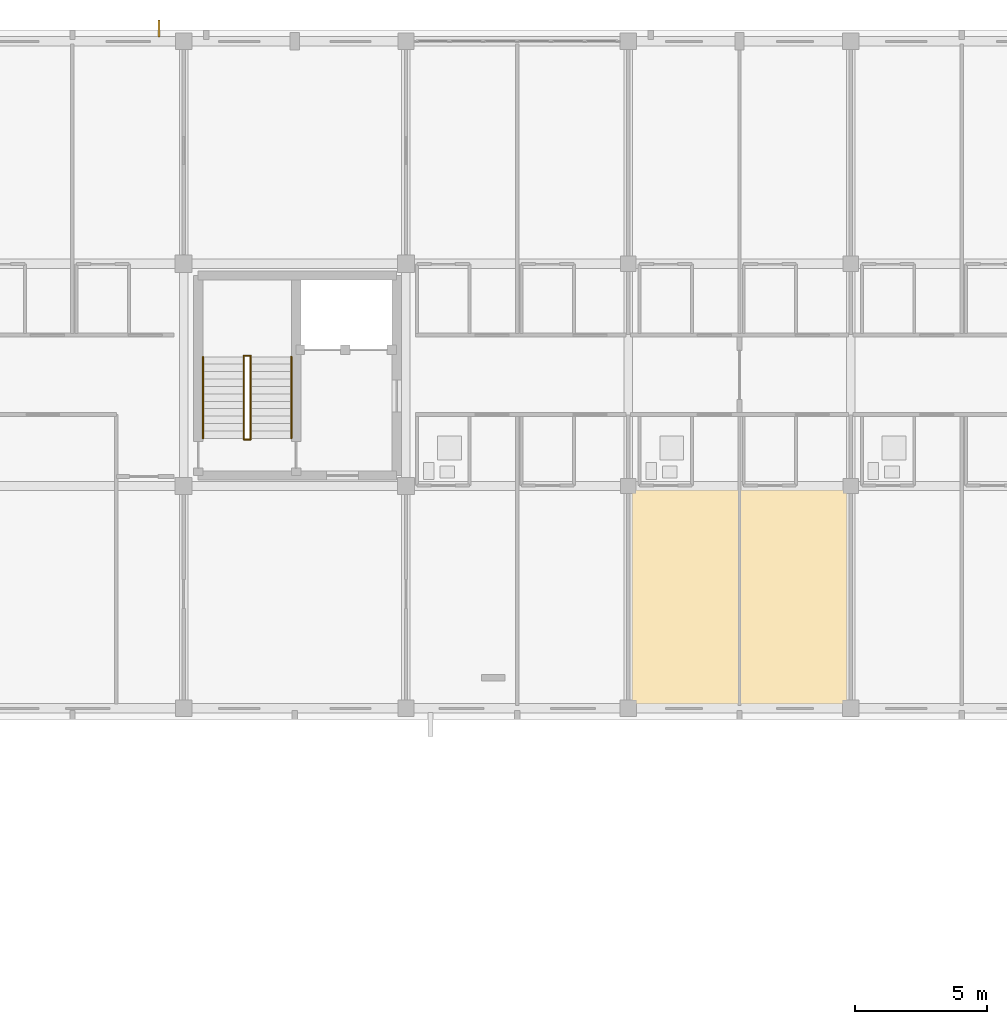
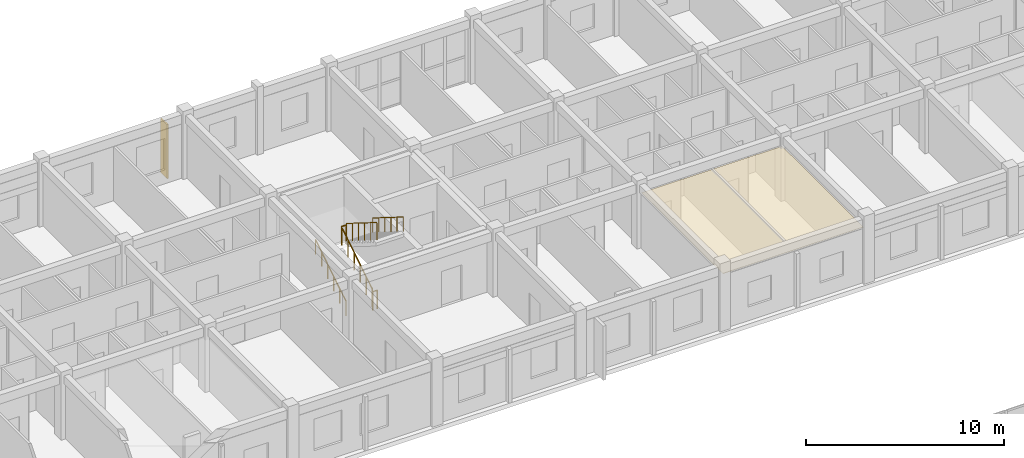
# One storey, part 79 of 81: 6 railings, 1 covering, 1 shading device.
"""IFC4 building model written with IfcOpenShell, lengths in metres."""

import ifcopenshell
import ifcopenshell.guid

model = None  # the IFC model being written
_history = None  # IfcOwnerHistory: only IFC2X3 demands one
_inside = {}  # id of a spatial element -> (the spatial element, [elements in it])
_under = {}  # id of a project, library or spatial element -> (it, [spatial elements below it])
_declared = {}  # id of a project -> (the project, [libraries it declares])
_typed = {}  # id of a type object -> (the type object, [elements of that type])
_made_of = {}  # id of a material, layer set ... -> (it, [elements and type objects made of it])


def new_model(schema):
    """Start an empty IFC model of exactly this schema.

    Asked for "IFC4X3", IfcOpenShell would pick the latest addendum, in which some entities
    have other attributes; the version numbers below select the first issue.
    IFC2X3 requires an IfcOwnerHistory on every rooted entity: one is made here for all.
    """
    global model, _history
    if schema == "IFC4X3":
        model = ifcopenshell.file(schema_version=(4, 3, 0, 0))
    else:
        model = ifcopenshell.file(schema=schema)
    _inside.clear()
    _under.clear()
    _declared.clear()
    _typed.clear()
    _made_of.clear()
    _history = None
    if model.schema == "IFC2X3":
        org = make("IfcOrganization", Name="unknown")
        user = make(
            "IfcPersonAndOrganization",
            ThePerson=make("IfcPerson", FamilyName="unknown"),
            TheOrganization=org,
        )
        app = make(
            "IfcApplication",
            ApplicationDeveloper=org,
            Version="unknown",
            ApplicationFullName="unknown",
            ApplicationIdentifier="unknown",
        )
        _history = make(
            "IfcOwnerHistory",
            OwningUser=user,
            OwningApplication=app,
            ChangeAction="ADDED",
            CreationDate=0,
        )
    return model


def make(cls, **values):
    """One entity of the class cls with the attributes given. An attribute that is None is left unset."""
    return model.create_entity(
        cls, **{name: value for name, value in values.items() if value is not None}
    )


def rooted(cls, **values):
    """An entity with a GlobalId (a new one), such as an element, a storey or a relation."""
    return make(cls, GlobalId=ifcopenshell.guid.new(), OwnerHistory=_history, **values)


def si_unit(unit_type, name, prefix=None):
    """IfcSIUnit, for example si_unit("LENGTHUNIT", "METRE", prefix="MILLI")."""
    return make("IfcSIUnit", UnitType=unit_type, Prefix=prefix, Name=name)


def assignment(units):
    """IfcUnitAssignment: the units of a project."""
    return None if units is None else make("IfcUnitAssignment", Units=units)


def point(xyz):
    """IfcCartesianPoint."""
    return None if xyz is None else make("IfcCartesianPoint", Coordinates=xyz)


def direction(xyz):
    """IfcDirection."""
    return None if xyz is None else make("IfcDirection", DirectionRatios=xyz)


def frame(location, z_axis=None, x_axis=None):
    """IfcAxis2Placement3D, a coordinate frame: its origin and axes. An axis left out is left unset."""
    return make(
        "IfcAxis2Placement3D",
        Location=point(location),
        Axis=direction(z_axis),
        RefDirection=direction(x_axis),
    )


def frame_2d(location, x_axis=None):
    """IfcAxis2Placement2D, a coordinate frame in the plane: its origin and x axis."""
    return make(
        "IfcAxis2Placement2D", Location=point(location), RefDirection=direction(x_axis)
    )


def origin():
    """The frame at (0, 0, 0) with its axes left unset."""
    return frame((0.0, 0.0, 0.0))


def origin_2d():
    """The frame at (0, 0) in the plane with its x axis left unset."""
    return frame_2d((0.0, 0.0))


def place(relative_to, where):
    """IfcLocalPlacement: puts the frame where relative to a parent placement (None: the world)."""
    return make(
        "IfcLocalPlacement", PlacementRelTo=relative_to, RelativePlacement=where
    )


def context(
    kind, dimensions, precision=None, world=None, true_north=None, identifier=None
):
    """IfcGeometricRepresentationContext, for example the 3D "Model" context."""
    return make(
        "IfcGeometricRepresentationContext",
        ContextIdentifier=identifier,
        ContextType=kind,
        CoordinateSpaceDimension=dimensions,
        Precision=precision,
        WorldCoordinateSystem=world,
        TrueNorth=true_north,
    )


def subcontext(parent, identifier, kind, view, scale=None):
    """IfcGeometricRepresentationSubContext, for example "Body" below "Model"."""
    return make(
        "IfcGeometricRepresentationSubContext",
        ContextIdentifier=identifier,
        ContextType=kind,
        ParentContext=parent,
        TargetScale=scale,
        TargetView=view,
    )


def project(units=None, contexts=None):
    """IfcProject with its units and contexts."""
    return rooted(
        "IfcProject",
        Name="project",
        RepresentationContexts=contexts,
        UnitsInContext=assignment(units),
    )


def spatial(cls, under=None, at=None, **own):
    """A site, building, storey or space (cls), placed at a placement, below another one or the project."""
    s = rooted(cls, ObjectPlacement=at, **own)
    if under is not None:
        _under.setdefault(under.id(), (under, []))[1].append(s)
    return s


def polyline(points):
    """IfcPolyline through the points."""
    return make("IfcPolyline", Points=[point(p) for p in points])


def profile(cls, at=None, kind="AREA", **sizes):
    """A parametric profile (cls). Its sizes go by their IFC names, for example OverallWidth=200.0."""
    return make(cls, ProfileType=kind, Position=at, **sizes)


def rectangle(**sizes):
    """IfcRectangleProfileDef."""
    return profile("IfcRectangleProfileDef", **sizes)


def circle(**sizes):
    """IfcCircleProfileDef."""
    return profile("IfcCircleProfileDef", **sizes)


def outline(outer, holes=None, kind="AREA"):
    """IfcArbitraryClosedProfileDef: a profile drawn as a closed curve; with holes, ...WithVoids."""
    if holes is None:
        return make("IfcArbitraryClosedProfileDef", ProfileType=kind, OuterCurve=outer)
    return make(
        "IfcArbitraryProfileDefWithVoids",
        ProfileType=kind,
        OuterCurve=outer,
        InnerCurves=holes,
    )


def extrude(swept, where, along, depth):
    """IfcExtrudedAreaSolid: the profile swept, set in the frame where, extruded along a direction by depth."""
    return make(
        "IfcExtrudedAreaSolid",
        SweptArea=swept,
        Position=where,
        ExtrudedDirection=direction(along),
        Depth=depth,
    )


def shape(context_of_items, identifier, shape_type, items):
    """IfcShapeRepresentation: the items that make up one representation, for example the "Body"."""
    return make(
        "IfcShapeRepresentation",
        ContextOfItems=context_of_items,
        RepresentationIdentifier=identifier,
        RepresentationType=shape_type,
        Items=items,
    )


def material(Name=None, Category=None):
    """IfcMaterial."""
    return make("IfcMaterial", Name=Name, Category=Category)


def layer(
    of_material, thickness, ventilated=None, Name=None, Category=None, Priority=None
):
    """IfcMaterialLayer: one layer of a wall or slab, of a material (None: an air gap)."""
    return make(
        "IfcMaterialLayer",
        Material=of_material,
        LayerThickness=thickness,
        IsVentilated=ventilated,
        Name=Name,
        Category=Category,
        Priority=Priority,
    )


def layer_set(layers, Name=None):
    """IfcMaterialLayerSet."""
    return make("IfcMaterialLayerSet", MaterialLayers=layers, LayerSetName=Name)


def made_of(thing, what):
    """Note that an element or type object is made of a material, layer set ...; save() writes the relation."""
    if what is not None:
        _made_of.setdefault(what.id(), (what, []))[1].append(thing)
    return thing


def type_object(cls, material=None, **own):
    """A type object (cls), such as IfcWallType, which elements share."""
    return made_of(rooted(cls, **own), material)


def element(
    cls,
    number,
    at=None,
    inside=None,
    cuts=None,
    type_object=None,
    material=None,
    context=None,
    identifier="Body",
    shape_type=None,
    held_by="IfcProductDefinitionShape",
    body=None,
    shapes=None,
    **own,
):
    """One element of the class cls, such as IfcWall. Its Tag is "e" and its number.

    at: its placement. inside: the storey or other place that contains it. cuts: it is an
    opening in that element (IfcRelVoidsElement). A single representation is given by context,
    identifier, shape_type and body (its items); several are given by shapes. held_by: the class
    of the entity that holds the representations. save() writes the other relations.
    """
    e = rooted(cls, Tag="e%d" % number, ObjectPlacement=at, **own)
    if body is not None:
        shapes = [shape(context, identifier, shape_type, body)]
    if shapes is not None:
        e.Representation = make(held_by, Representations=shapes)
    if inside is not None:
        _inside.setdefault(inside.id(), (inside, []))[1].append(e)
    if cuts is not None:
        rooted(
            "IfcRelVoidsElement", RelatingBuildingElement=cuts, RelatedOpeningElement=e
        )
    if type_object is not None:
        _typed.setdefault(type_object.id(), (type_object, []))[1].append(e)
    return made_of(e, material)


def aggregate(whole, parts):
    """IfcRelAggregates: a whole, such as a stair, and the parts it consists of."""
    return rooted("IfcRelAggregates", RelatingObject=whole, RelatedObjects=parts)


def save(model, path):
    """Write the relations noted so far, then the file.

    IfcRelAggregates (storeys below a building ...), IfcRelContainedInSpatialStructure (elements
    in a storey), IfcRelDefinesByType, IfcRelAssociatesMaterial and IfcRelDeclares: one each for
    every whole, place, type object, material and project.
    """
    for whole, parts in _under.values():
        aggregate(whole, parts)
    for where, things in _inside.values():
        rooted(
            "IfcRelContainedInSpatialStructure",
            RelatedElements=things,
            RelatingStructure=where,
        )
    for kind, things in _typed.values():
        rooted("IfcRelDefinesByType", RelatedObjects=things, RelatingType=kind)
    for what, things in _made_of.values():
        rooted("IfcRelAssociatesMaterial", RelatedObjects=things, RelatingMaterial=what)
    for by, libraries in _declared.values():
        rooted("IfcRelDeclares", RelatingContext=by, RelatedDefinitions=libraries)
    model.write(path)


model = new_model("IFC4")

# Units and contexts
model_context = context("Model", 3, precision=1e-05, world=origin(), true_north=direction((0.0, 1.0)))
body_context = subcontext(model_context, "Body", "Model", "MODEL_VIEW")
ifc_project = project(units=[si_unit("LENGTHUNIT", "METRE"), si_unit("AREAUNIT", "SQUARE_METRE"), si_unit("VOLUMEUNIT", "CUBIC_METRE"), si_unit("PLANEANGLEUNIT", "RADIAN"), si_unit("MASSUNIT", "GRAM", prefix="KILO")], contexts=[model_context])

# Site, building, storey
site_placement = place(None, origin())
site = spatial("IfcSite", under=ifc_project, at=site_placement, CompositionType="ELEMENT")
building_placement = place(site_placement, origin())
building = spatial("IfcBuilding", under=site, at=building_placement, Name="Trelvath General Hospital", CompositionType="ELEMENT")
storey_placement = place(building_placement, frame((0.0, 0.0, 24.60009765625)))
storey = spatial("IfcBuildingStorey", under=building, at=storey_placement, Name="L06", CompositionType="ELEMENT", Elevation=24.60009765625)

# Covering
ifc_material_1 = material(Name="Hygienic acoustic ceiling tile")
ifc_layer = layer(ifc_material_1, 0.02490234375)
ifc_layer_set = layer_set([ifc_layer], Name="Hygienic acoustic ceiling tile")
covering_type = type_object("IfcCoveringType", Name="Ceiling ClinicalAcoustic", PredefinedType="CEILING", material=ifc_layer_set)
covering_placement = place(storey_placement, frame((0.0, 0.0, 3.199951171875)))
element("IfcCovering", 1, at=covering_placement, inside=storey, type_object=covering_type, Name="Clinical Acoustic Ceiling L06-79", PredefinedType="CEILING", context=body_context, shape_type="SweptSolid", body=[
    extrude(outline(polyline([(100.89990234375, 92.5), (109.10009765625, 92.5), (109.10009765625, 100.719970703125), (100.89990234375, 100.719970703125), (100.89990234375, 92.5)])), origin(), (0.0, 0.0, 1.0), 0.02490234375),
])

# Railings
ifc_material_2 = material(Name="Architectural painted steel", Category="steel")
railing_type_1 = type_object("IfcRailingType", Name="Guardrail Terrace1150", PredefinedType="GUARDRAIL", material=ifc_material_2)
railing_1_placement = place(storey_placement, frame((86.27001953125, 102.56005859375, 0.0)))
element("IfcRailing", 2, at=railing_1_placement, inside=storey, type_object=railing_type_1, Name="Stair Well Edge Guard C2 L06 84", PredefinedType="GUARDRAIL", context=body_context, shape_type="SweptSolid", body=[
    extrude(circle(Radius=0.02392578125, at=origin_2d()), frame((0.0, 0.0, 1.1259765625), z_axis=(1.0, 0.0, 0.0), x_axis=(0.0, 1.0, 0.0)), (0.0, 0.0, 1.0), 0.260009765625),
    extrude(circle(Radius=0.02099609375, at=origin_2d()), origin(), (0.0, 0.0, 1.0), 1.099853515625),
    extrude(circle(Radius=0.02099609375, at=origin_2d()), frame((0.260009765625, 0.0, 0.0)), (0.0, 0.0, 1.0), 1.099853515625),
])
railing_2_placement = place(storey_placement, frame((86.530029296875, 105.679931640625, 2.27490234375)))
element("IfcRailing", 3, at=railing_2_placement, inside=storey, type_object=railing_type_1, Name="Stair Rail ST2 L06 F2 L 86", PredefinedType="GUARDRAIL", context=body_context, shape_type="SweptSolid", body=[
    extrude(circle(Radius=0.02392578125, at=origin_2d()), frame((0.0, 0.0, 1.076171875), z_axis=(0.0, -0.847979421464, 0.530029150871), x_axis=(1.0, 0.0, 0.0)), (0.0, 0.0, 1.0), 3.632080078125),
    extrude(circle(Radius=0.02099609375, at=origin_2d()), origin(), (0.0, 0.0, 1.0), 1.050048828125),
    extrude(circle(Radius=0.02099609375, at=origin_2d()), frame((0.0, -0.615966796875, 0.385009765625)), (0.0, 0.0, 1.0), 1.050048828125),
    extrude(circle(Radius=0.02099609375, at=origin_2d()), frame((0.0, -1.23193359375, 0.77001953125)), (0.0, 0.0, 1.0), 1.050048828125),
    extrude(circle(Radius=0.02099609375, at=origin_2d()), frame((0.0, -1.847900390625, 1.155029296875)), (0.0, 0.0, 1.0), 1.050048828125),
    extrude(circle(Radius=0.02099609375, at=origin_2d()), frame((0.0, -2.4638671875, 1.5400390625)), (0.0, 0.0, 1.0), 1.050048828125),
    extrude(circle(Radius=0.02099609375, at=origin_2d()), frame((0.0, -3.079833984375, 1.925048828125)), (0.0, 0.0, 1.0), 1.050048828125),
])
railing_3_placement = place(storey_placement, frame((86.27001953125, 102.60009765625, 0.1748046875)))
element("IfcRailing", 4, at=railing_3_placement, inside=storey, type_object=railing_type_1, Name="Stair Rail ST2 L06 F1 R 87", PredefinedType="GUARDRAIL", context=body_context, shape_type="SweptSolid", body=[
    extrude(circle(Radius=0.02392578125, at=origin_2d()), frame((0.0, 0.0, 1.076171875), z_axis=(0.0, 0.847979421464, 0.530029150871), x_axis=(-1.0, 0.0, 0.0)), (0.0, 0.0, 1.0), 3.632080078125),
    extrude(circle(Radius=0.02099609375, at=origin_2d()), origin(), (0.0, 0.0, 1.0), 1.050048828125),
    extrude(circle(Radius=0.02099609375, at=origin_2d()), frame((0.0, 0.615966796875, 0.385009765625)), (0.0, 0.0, 1.0), 1.050048828125),
    extrude(circle(Radius=0.02099609375, at=origin_2d()), frame((0.0, 1.23193359375, 0.77001953125)), (0.0, 0.0, 1.0), 1.050048828125),
    extrude(circle(Radius=0.02099609375, at=origin_2d()), frame((0.0, 1.847900390625, 1.155029296875)), (0.0, 0.0, 1.0), 1.050048828125),
    extrude(circle(Radius=0.02099609375, at=origin_2d()), frame((0.0, 2.4638671875, 1.5400390625)), (0.0, 0.0, 1.0), 1.050048828125),
    extrude(circle(Radius=0.02099609375, at=origin_2d()), frame((0.0, 3.079833984375, 1.925048828125)), (0.0, 0.0, 1.0), 1.050048828125),
])
railing_4_placement = place(storey_placement, frame((86.27001953125, 105.719970703125, 2.099853515625)))
element("IfcRailing", 5, at=railing_4_placement, inside=storey, type_object=railing_type_1, Name="Half-Landing Well Guard ST2 L06 89", PredefinedType="GUARDRAIL", context=body_context, shape_type="SweptSolid", body=[
    extrude(circle(Radius=0.02392578125, at=origin_2d()), frame((0.0, 0.0, 1.1259765625), z_axis=(1.0, 0.0, 0.0), x_axis=(0.0, 1.0, 0.0)), (0.0, 0.0, 1.0), 0.260009765625),
    extrude(circle(Radius=0.02099609375, at=origin_2d()), origin(), (0.0, 0.0, 1.0), 1.099853515625),
    extrude(circle(Radius=0.02099609375, at=origin_2d()), frame((0.260009765625, 0.0, 0.0)), (0.0, 0.0, 1.0), 1.099853515625),
])
ifc_material_3 = material(Name="Brushed stainless steel", Category="steel")
railing_type_2 = type_object("IfcRailingType", Name="Handrail Stair900", PredefinedType="HANDRAIL", material=ifc_material_3)
railing_5_placement = place(storey_placement, frame((84.72998046875, 102.60009765625, 0.1748046875)))
element("IfcRailing", 6, at=railing_5_placement, inside=storey, type_object=railing_type_2, Name="Stair Rail ST2 L06 F1 L 85", PredefinedType="HANDRAIL", context=body_context, shape_type="SweptSolid", body=[
    extrude(circle(Radius=0.02392578125, at=origin_2d()), frame((0.0, 0.0, 0.8759765625), z_axis=(0.0, 0.847979421464, 0.530029150871), x_axis=(-1.0, 0.0, 0.0)), (0.0, 0.0, 1.0), 3.632080078125),
    extrude(circle(Radius=0.02099609375, at=origin_2d()), origin(), (0.0, 0.0, 1.0), 0.849853515625),
    extrude(circle(Radius=0.02099609375, at=origin_2d()), frame((0.0, 0.615966796875, 0.385009765625)), (0.0, 0.0, 1.0), 0.849853515625),
    extrude(circle(Radius=0.02099609375, at=origin_2d()), frame((0.0, 1.23193359375, 0.77001953125)), (0.0, 0.0, 1.0), 0.849853515625),
    extrude(circle(Radius=0.02099609375, at=origin_2d()), frame((0.0, 1.847900390625, 1.155029296875)), (0.0, 0.0, 1.0), 0.849853515625),
    extrude(circle(Radius=0.02099609375, at=origin_2d()), frame((0.0, 2.4638671875, 1.5400390625)), (0.0, 0.0, 1.0), 0.849853515625),
    extrude(circle(Radius=0.02099609375, at=origin_2d()), frame((0.0, 3.079833984375, 1.925048828125)), (0.0, 0.0, 1.0), 0.849853515625),
])
railing_6_placement = place(storey_placement, frame((88.070068359375, 105.679931640625, 2.27490234375)))
element("IfcRailing", 7, at=railing_6_placement, inside=storey, type_object=railing_type_2, Name="Stair Rail ST2 L06 F2 R 88", PredefinedType="HANDRAIL", context=body_context, shape_type="SweptSolid", body=[
    extrude(circle(Radius=0.02392578125, at=origin_2d()), frame((0.0, 0.0, 0.8759765625), z_axis=(0.0, -0.847979421464, 0.530029150871), x_axis=(1.0, 0.0, 0.0)), (0.0, 0.0, 1.0), 3.632080078125),
    extrude(circle(Radius=0.02099609375, at=origin_2d()), origin(), (0.0, 0.0, 1.0), 0.849853515625),
    extrude(circle(Radius=0.02099609375, at=origin_2d()), frame((0.0, -0.615966796875, 0.385009765625)), (0.0, 0.0, 1.0), 0.849853515625),
    extrude(circle(Radius=0.02099609375, at=origin_2d()), frame((0.0, -1.23193359375, 0.77001953125)), (0.0, 0.0, 1.0), 0.849853515625),
    extrude(circle(Radius=0.02099609375, at=origin_2d()), frame((0.0, -1.847900390625, 1.155029296875)), (0.0, 0.0, 1.0), 0.849853515625),
    extrude(circle(Radius=0.02099609375, at=origin_2d()), frame((0.0, -2.4638671875, 1.5400390625)), (0.0, 0.0, 1.0), 0.849853515625),
    extrude(circle(Radius=0.02099609375, at=origin_2d()), frame((0.0, -3.079833984375, 1.925048828125)), (0.0, 0.0, 1.0), 0.849853515625),
])

# Shading device
ifc_material_4 = material(Name="Anodised aluminium", Category="aluminium")
shading_device_type = type_object("IfcShadingDeviceType", Name="SolarScreen PerforatedAlu", PredefinedType="JALOUSIE", material=ifc_material_4)
shading_device_placement = place(storey_placement, frame((83.07177734375, 118.080078125, 0.0), z_axis=(0.0, 0.0, 1.0), x_axis=(0.0, 1.0, 0.0)))
element("IfcShadingDevice", 8, at=shading_device_placement, inside=storey, type_object=shading_device_type, Name="Solar Brise-Soleil Screen L06-96", PredefinedType="JALOUSIE", context=body_context, shape_type="SweptSolid", body=[
    extrude(rectangle(XDim=0.64990234375, YDim=0.080078125, at=origin_2d()), origin(), (0.0, 0.0, 1.0), 3.340087890625),
])

save(model, "model.ifc")
